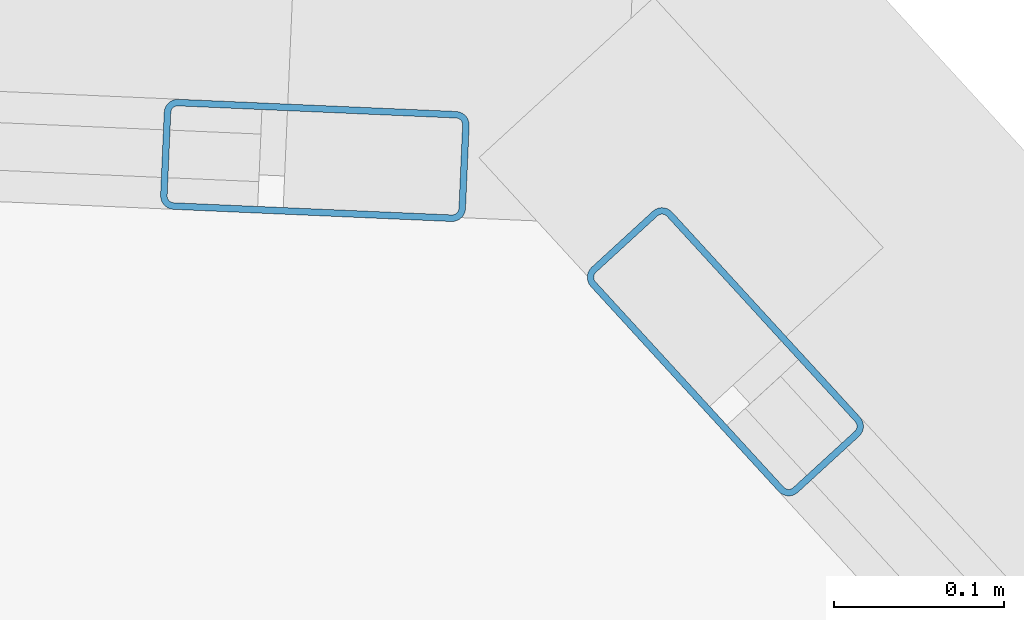
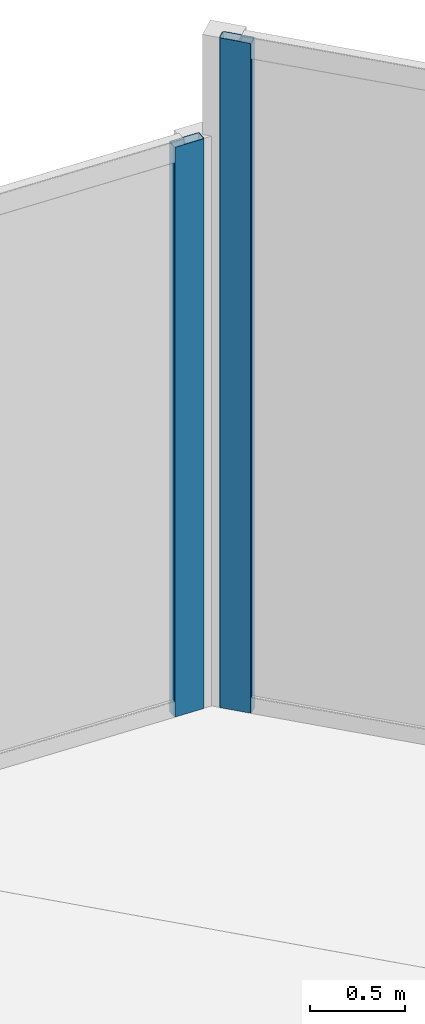
# One storey, part 20 of 26: 2 members, 2 elements without a shape of their own.
"""IFC4 building model written with IfcOpenShell, lengths in metres."""

from ifc_helpers import new_model, si_unit, direction, frame, origin, origin_2d, place, context, subcontext, project, spatial, hollow_rectangle, extrude, source, transform, mapped, material, material_profile, profile_set, type_object, element, aggregate, save


model = new_model("IFC4")

# Units and contexts
model_context = context("Model", 3, precision=1e-05, world=origin(), true_north=direction((0.0, 1.0)))
body_context = subcontext(model_context, "Body", "Model", "MODEL_VIEW")
ifc_project = project(units=[si_unit("LENGTHUNIT", "METRE"), si_unit("AREAUNIT", "SQUARE_METRE"), si_unit("VOLUMEUNIT", "CUBIC_METRE"), si_unit("PLANEANGLEUNIT", "RADIAN"), si_unit("MASSUNIT", "GRAM", prefix="KILO")], contexts=[model_context])

# Site, building, storey
site_placement = place(None, origin())
site = spatial("IfcSite", under=ifc_project, at=site_placement, CompositionType="ELEMENT")
building_placement = place(site_placement, origin())
building = spatial("IfcBuilding", under=site, at=building_placement, Name="Torre Montelarca", CompositionType="ELEMENT")
storey_placement = place(building_placement, frame((0.0, 0.0, 42.39990234375)))
storey = spatial("IfcBuildingStorey", under=building, at=storey_placement, Name="L09", CompositionType="ELEMENT", Elevation=42.39990234375)

# Curtain wall, member
ifc_material_1 = material(Name="Insulated low-E laminated glass", Category="glass")
curtain_wall_type = type_object("IfcCurtainWallType", Name="CW-SYS-Z1", PredefinedType="USERDEFINED", material=ifc_material_1)
curtain_wall_1_placement = place(storey_placement, origin())
curtain_wall_1 = element("IfcCurtainWall", 1, at=curtain_wall_1_placement, inside=storey, type_object=curtain_wall_type, Name="L09 Curtain Wall Run CW-T3-L09-E07-B1", ObjectType="UNITISED GLAZING", PredefinedType="USERDEFINED")
ifc_material_2 = material(Name="Anodised aluminium AA 6063-T6", Category="aluminium")
ifc_material_profile = material_profile(ifc_material_2, hollow_rectangle(XDim=0.06494140625, YDim=0.179931640625, WallThickness=0.00390625, InnerFilletRadius=0.00390625, OuterFilletRadius=0.008056640625, at=origin_2d()), Name="ALU65X180X4", Category="aluminium")
ifc_profile_set = profile_set([ifc_material_profile], Name="Anodised aluminium AA 6063-T6")
member_type = type_object("IfcMemberType", Name="CWM-ALU180", PredefinedType="MULLION", material=ifc_profile_set)
shared_shape_1 = source(origin(), body_context, "Body", "SweptSolid", [
    extrude(hollow_rectangle(XDim=0.06494140625, YDim=0.179931640625, WallThickness=0.00390625, InnerFilletRadius=0.00390625, OuterFilletRadius=0.008056640625, at=origin_2d()), origin(), (0.0, 0.0, 1.0), 4.320068359375),
])
member_1_placement = place(storey_placement, frame((60.108642578125, 46.29736328125, 0.0), z_axis=(0.0, 0.0, 1.0), x_axis=(-0.737291747736, -0.675574480513, 0.0)))
member_1 = element("IfcMember", 2, at=member_1_placement, type_object=member_type, Name="CW mullion 3", PredefinedType="MULLION", context=body_context, shape_type="MappedRepresentation", body=[
    mapped(shared_shape_1, transform((0.0, 0.0, 0.0), scale=1.0)),
])
aggregate(curtain_wall_1, [member_1])

curtain_wall_2_placement = place(storey_placement, origin())
curtain_wall_2 = element("IfcCurtainWall", 3, at=curtain_wall_2_placement, inside=storey, type_object=curtain_wall_type, Name="L09 Curtain Wall Run CW-T3-L09-E08-B1", ObjectType="UNITISED GLAZING", PredefinedType="USERDEFINED")
shared_shape_2 = source(origin(), body_context, "Body", "SweptSolid", [
    extrude(hollow_rectangle(XDim=0.06494140625, YDim=0.179931640625, WallThickness=0.00390625, InnerFilletRadius=0.00390625, OuterFilletRadius=0.008056640625, at=origin_2d()), origin(), (0.0, 0.0, 1.0), 3.675048828125),
])
member_2_placement = place(storey_placement, frame((59.86669921875, 46.41015625, 0.0), z_axis=(0.0, 0.0, 1.0), x_axis=(-0.043619974825, -0.999048195933, 0.0)))
member_2 = element("IfcMember", 4, at=member_2_placement, type_object=member_type, Name="CW mullion 1", PredefinedType="MULLION", context=body_context, shape_type="MappedRepresentation", body=[
    mapped(shared_shape_2, transform((0.0, 0.0, 0.0), scale=1.0)),
])
aggregate(curtain_wall_2, [member_2])

save(model, "model.ifc")
